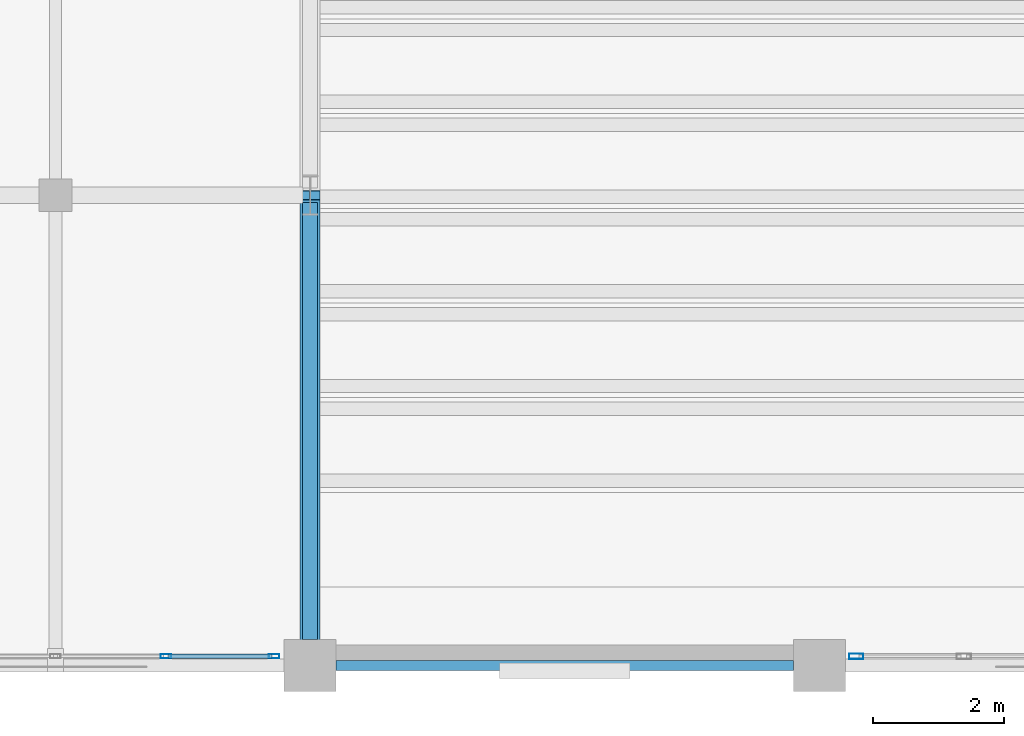
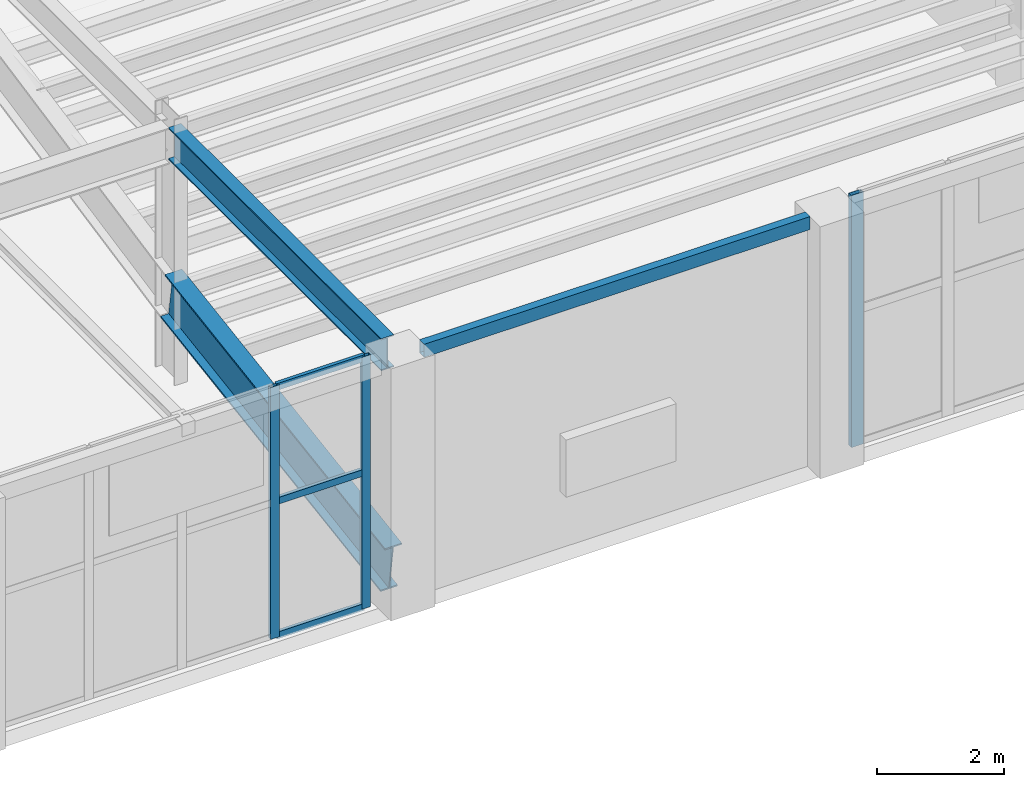
# One storey, part 79 of 128: 6 members, 3 beams, 2 elements without a shape of their own.
"""IFC4 building model written with IfcOpenShell, lengths in metres."""

from ifc_helpers import new_model, si_unit, direction, frame, origin, origin_2d, place, context, subcontext, project, spatial, hollow_rectangle, i_section, extrude, material, layer, layer_set, material_profile, profile_set, type_object, element, aggregate, save


model = new_model("IFC4")

# Units and contexts
model_context = context("Model", 3, precision=1e-05, world=origin(), true_north=direction((0.0, 1.0)))
body_context = subcontext(model_context, "Body", "Model", "MODEL_VIEW")
ifc_project = project(units=[si_unit("LENGTHUNIT", "METRE"), si_unit("AREAUNIT", "SQUARE_METRE"), si_unit("VOLUMEUNIT", "CUBIC_METRE"), si_unit("PLANEANGLEUNIT", "RADIAN"), si_unit("MASSUNIT", "GRAM", prefix="KILO")], contexts=[model_context])

# Site, building, storey
site_placement = place(None, origin())
site = spatial("IfcSite", under=ifc_project, at=site_placement, CompositionType="ELEMENT")
building_placement = place(site_placement, origin())
building = spatial("IfcBuilding", under=site, at=building_placement, Name="Xicomal Pleat Aquarium", CompositionType="ELEMENT")
storey_placement = place(building_placement, frame((0.0, 0.0, 5.39990234375)))
storey = spatial("IfcBuildingStorey", under=building, at=storey_placement, Name="L02", CompositionType="ELEMENT", Elevation=5.39990234375)

# Beams
ifc_material_1 = material(Name="Structural steel A992 Gr 50", Category="steel")
ifc_material_profile_1 = material_profile(ifc_material_1, i_section(OverallWidth=0.22998046875, OverallDepth=0.616943359375, WebThickness=0.01318359375, FlangeThickness=0.022216796875, at=origin_2d()), Name="IR 610x140")
ifc_profile_set_1 = profile_set([ifc_material_profile_1], Name="Structural steel A992 Gr 50")
beam_type_1 = type_object("IfcBeamType", Name="BM-STL-IR610", PredefinedType="BEAM", material=ifc_profile_set_1)
beam_1_placement = place(storey_placement, frame((149.39990234375, 1.195068359375, 4.531494140625), z_axis=(0.0, 1.0, 0.0), x_axis=(-1.0, 0.0, 0.0)))
element("IfcBeam", 1, at=beam_1_placement, inside=storey, type_object=beam_type_1, Name="L02 framing beam FGY-L02-19-A-B", PredefinedType="BEAM", context=body_context, shape_type="SweptSolid", body=[
    extrude(i_section(OverallWidth=0.22998046875, OverallDepth=0.616943359375, WebThickness=0.01318359375, FlangeThickness=0.022216796875, at=origin_2d()), origin(), (0.0, 0.0, 1.0), 6.69482421875),
])
ifc_material_2 = material(Name="Structural steel A992 Gr 50", Category="steel")
ifc_material_profile_2 = material_profile(ifc_material_2, i_section(OverallWidth=0.306884765625, OverallDepth=0.923095703125, WebThickness=0.018310546875, FlangeThickness=0.030029296875, at=origin_2d()), Name="IR 920x271")
ifc_profile_set_2 = profile_set([ifc_material_profile_2], Name="Structural steel A992 Gr 50")
beam_type_2 = type_object("IfcBeamType", Name="BM-STL-IR920", PredefinedType="BEAM", material=ifc_profile_set_2)
beam_2_placement = place(storey_placement, frame((149.39990234375, 1.080078125, 0.47998046875), z_axis=(0.0, 0.988254107269, 0.152819565063), x_axis=(-1.0, 0.0, 0.0)))
element("IfcBeam", 2, at=beam_2_placement, inside=storey, type_object=beam_type_2, Name="Auditorium raked tier girder 19 south", PredefinedType="BEAM", context=body_context, shape_type="SweptSolid", body=[
    extrude(i_section(OverallWidth=0.306884765625, OverallDepth=0.923095703125, WebThickness=0.018310546875, FlangeThickness=0.030029296875, at=origin_2d()), origin(), (0.0, 0.0, 1.0), 7.002197265625),
])
ifc_material_3 = material(Name="Structural steel A500 Gr C", Category="steel")
ifc_material_profile_3 = material_profile(ifc_material_3, hollow_rectangle(XDim=0.14990234375, YDim=0.25, WallThickness=0.010009765625, at=origin_2d()), Name="OR 250x150x10")
ifc_profile_set_3 = profile_set([ifc_material_profile_3], Name="Structural steel A500 Gr C")
beam_type_3 = type_object("IfcBeamType", Name="BM-STL-OR250", PredefinedType="SPANDREL", material=ifc_profile_set_3)
beam_3_placement = place(storey_placement, frame((149.794921875, 0.800048828125, 4.715087890625), z_axis=(1.0, 0.0, 0.0), x_axis=(0.0, 1.0, 0.0)))
element("IfcBeam", 3, at=beam_3_placement, inside=storey, type_object=beam_type_3, Name="L02 framing beam FGX-L02-19-20-A", PredefinedType="SPANDREL", context=body_context, shape_type="SweptSolid", body=[
    extrude(hollow_rectangle(XDim=0.14990234375, YDim=0.25, WallThickness=0.010009765625, at=origin_2d()), origin(), (0.0, 0.0, 1.0), 7.010009765625),
])

# Curtain wall, members
ifc_material_4 = material(Name="Bronze anodized aluminium 6063-T6", Category="aluminium")
ifc_layer_1 = layer(ifc_material_4, 0.159912109375)
ifc_layer_set_1 = layer_set([ifc_layer_1], Name="Bronze anodized aluminium 6063-T6")
curtain_wall_type_1 = type_object("IfcCurtainWallType", Name="CW-SYS-02", PredefinedType="NOTDEFINED", material=ifc_layer_set_1)
curtain_wall_1_placement = place(storey_placement, origin())
curtain_wall_1 = element("IfcCurtainWall", 4, at=curtain_wall_1_placement, inside=storey, type_object=curtain_wall_type_1, Name="L02 unitised curtain wall CW-L02-075", PredefinedType="NOTDEFINED")
ifc_material_5 = material(Name="Bronze anodized aluminium 6063-T6", Category="aluminium")
ifc_material_profile_4 = material_profile(ifc_material_5, hollow_rectangle(XDim=0.06494140625, YDim=0.159912109375, WallThickness=0.00390625, at=origin_2d()), Name="ALU MULL 65x160")
ifc_profile_set_4 = profile_set([ifc_material_profile_4], Name="Bronze anodized aluminium 6063-T6")
member_type_1 = type_object("IfcMemberType", Name="CWM-65x160", PredefinedType="MULLION", material=ifc_profile_set_4)
member_1_placement = place(storey_placement, frame((148.847412109375, 0.93994140625, 0.0), z_axis=(0.0, 0.0, 1.0), x_axis=(0.0, -1.0, 0.0)))
member_1 = element("IfcMember", 5, at=member_1_placement, type_object=member_type_1, Name="CW-02 mullion 1", PredefinedType="MULLION", context=body_context, shape_type="SweptSolid", body=[
    extrude(hollow_rectangle(XDim=0.06494140625, YDim=0.159912109375, WallThickness=0.00390625, at=origin_2d()), origin(), (0.0, 0.0, 1.0), 4.840087890625),
])
member_2_placement = place(storey_placement, frame((147.18994140625, 0.93994140625, 0.0), z_axis=(0.0, 0.0, 1.0), x_axis=(0.0, -1.0, 0.0)))
member_2 = element("IfcMember", 6, at=member_2_placement, type_object=member_type_1, Name="CW-02 mullion 2", PredefinedType="MULLION", context=body_context, shape_type="SweptSolid", body=[
    extrude(hollow_rectangle(XDim=0.06494140625, YDim=0.159912109375, WallThickness=0.00390625, at=origin_2d()), origin(), (0.0, 0.0, 1.0), 4.840087890625),
])

# Curtain wall, member
ifc_material_6 = material(Name="Bronze anodized aluminium 6063-T6", Category="aluminium")
ifc_layer_2 = layer(ifc_material_6, 0.159912109375)
ifc_layer_set_2 = layer_set([ifc_layer_2], Name="Bronze anodized aluminium 6063-T6")
curtain_wall_type_2 = type_object("IfcCurtainWallType", Name="CW-SYS-12", PredefinedType="NOTDEFINED", material=ifc_layer_set_2)
curtain_wall_2_placement = place(storey_placement, origin())
curtain_wall_2 = element("IfcCurtainWall", 7, at=curtain_wall_2_placement, inside=storey, type_object=curtain_wall_type_2, Name="L02 unitised curtain wall CW-L02-074", PredefinedType="NOTDEFINED")
ifc_material_7 = material(Name="Bronze anodized aluminium 6063-T6", Category="aluminium")
ifc_material_profile_5 = material_profile(ifc_material_7, hollow_rectangle(XDim=0.0849609375, YDim=0.219970703125, WallThickness=0.0048828125, at=origin_2d()), Name="ALU MULL 85x220")
ifc_profile_set_5 = profile_set([ifc_material_profile_5], Name="Bronze anodized aluminium 6063-T6")
member_type_2 = type_object("IfcMemberType", Name="CWM-85x220", PredefinedType="MULLION", material=ifc_profile_set_5)
member_3_placement = place(storey_placement, frame((157.762451171875, 0.93994140625, 0.0), z_axis=(0.0, 0.0, 1.0), x_axis=(0.0, -1.0, 0.0)))
member_3 = element("IfcMember", 8, at=member_3_placement, type_object=member_type_2, Name="CW-12 mullion 5", PredefinedType="MULLION", context=body_context, shape_type="SweptSolid", body=[
    extrude(hollow_rectangle(XDim=0.0849609375, YDim=0.219970703125, WallThickness=0.0048828125, at=origin_2d()), origin(), (0.0, 0.0, 1.0), 4.840087890625),
])
aggregate(curtain_wall_2, [member_3])

# Member
ifc_material_8 = material(Name="Bronze anodized aluminium 6063-T6", Category="aluminium")
ifc_material_profile_6 = material_profile(ifc_material_8, hollow_rectangle(XDim=0.06494140625, YDim=0.1298828125, WallThickness=0.00390625, at=origin_2d()), Name="ALU TRAN 65x130")
ifc_profile_set_6 = profile_set([ifc_material_profile_6], Name="Bronze anodized aluminium 6063-T6")
member_type_3 = type_object("IfcMemberType", Name="CWT-65x130", PredefinedType="USERDEFINED", material=ifc_profile_set_6)
member_4_placement = place(storey_placement, frame((148.81494140625, 0.93994140625, 0.03271484375), z_axis=(-1.0, 0.0, 0.0), x_axis=(0.0, -1.0, 0.0)))
member_4 = element("IfcMember", 9, at=member_4_placement, type_object=member_type_3, Name="CW-02 transom 1.1", ObjectType="TRANSOM", PredefinedType="USERDEFINED", context=body_context, shape_type="SweptSolid", body=[
    extrude(hollow_rectangle(XDim=0.06494140625, YDim=0.1298828125, WallThickness=0.00390625, at=origin_2d()), origin(), (0.0, 0.0, 1.0), 1.592529296875),
])

member_5_placement = place(storey_placement, frame((148.81494140625, 0.93994140625, 2.614013671875), z_axis=(-1.0, 0.0, 0.0), x_axis=(0.0, -1.0, 0.0)))
member_5 = element("IfcMember", 10, at=member_5_placement, type_object=member_type_3, Name="CW-02 transom 1.2", ObjectType="TRANSOM", PredefinedType="USERDEFINED", context=body_context, shape_type="SweptSolid", body=[
    extrude(hollow_rectangle(XDim=0.06494140625, YDim=0.1298828125, WallThickness=0.00390625, at=origin_2d()), origin(), (0.0, 0.0, 1.0), 1.592529296875),
])

member_6_placement = place(storey_placement, frame((148.81494140625, 0.93994140625, 4.8076171875), z_axis=(-1.0, 0.0, 0.0), x_axis=(0.0, -1.0, 0.0)))
member_6 = element("IfcMember", 11, at=member_6_placement, type_object=member_type_3, Name="CW-02 transom 1.3", ObjectType="TRANSOM", PredefinedType="USERDEFINED", context=body_context, shape_type="SweptSolid", body=[
    extrude(hollow_rectangle(XDim=0.06494140625, YDim=0.1298828125, WallThickness=0.00390625, at=origin_2d()), origin(), (0.0, 0.0, 1.0), 1.592529296875),
])

aggregate(curtain_wall_1, [member_1, member_2, member_4, member_5, member_6])

save(model, "model.ifc")
